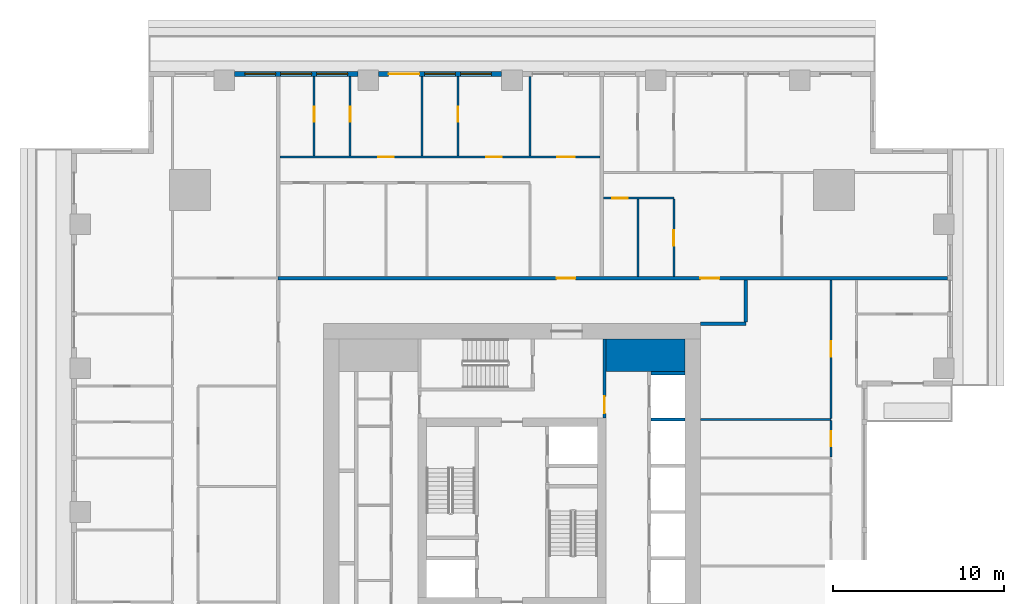
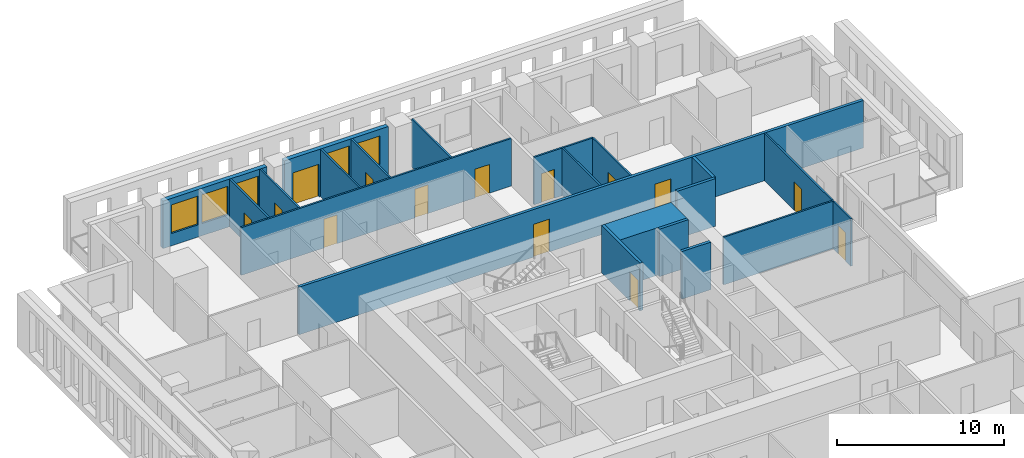
# One storey, part 8 of 16: 21 walls, 14 doors, 5 windows, 19 openings.
"""IFC4 building model written with IfcOpenShell, lengths in metres."""

from ifc_helpers import new_model, si_unit, direction, frame, frame_2d, origin, place, context, subcontext, project, spatial, rectangle, extrude, material, layer, layer_set, type_object, element, fill, save


model = new_model("IFC4")

# Units and contexts
model_context = context("Model", 3, precision=1e-05, world=origin(), true_north=direction((0.0, 1.0)))
body_context = subcontext(model_context, "Body", "Model", "MODEL_VIEW")
ifc_project = project(units=[si_unit("LENGTHUNIT", "METRE"), si_unit("AREAUNIT", "SQUARE_METRE"), si_unit("VOLUMEUNIT", "CUBIC_METRE"), si_unit("PLANEANGLEUNIT", "RADIAN"), si_unit("MASSUNIT", "GRAM", prefix="KILO")], contexts=[model_context])

# Site, building, storey
site_placement = place(None, origin())
site = spatial("IfcSite", under=ifc_project, at=site_placement, CompositionType="ELEMENT")
building_placement = place(site_placement, origin())
building = spatial("IfcBuilding", under=site, at=building_placement, Name="Khepri Terraces", CompositionType="ELEMENT")
storey_placement = place(building_placement, frame((0.0, 0.0, 204.0)))
storey = spatial("IfcBuildingStorey", under=building, at=storey_placement, Name="L48", CompositionType="ELEMENT", Elevation=204.0)

# Walls
ifc_material_1 = material(Name="Concrete C50/60", Category="concrete")
ifc_layer_1 = layer(ifc_material_1, 1.89990234375, Name="Concrete C50/60", Category="concrete")
ifc_layer_set_1 = layer_set([ifc_layer_1], Name="Concrete C50/60")
wall_type_1 = type_object("IfcWallType", Name="Core wall 1900 C50/60", PredefinedType="SHEAR", material=ifc_layer_set_1)
wall_1_placement = place(storey_placement, frame((5.5, 9.14990234375, 0.0), z_axis=(0.0, 0.0, 1.0), x_axis=(1.0, 0.0, 0.0)))
element("IfcWall", 1, at=wall_1_placement, inside=storey, type_object=wall_type_1, Name="Core wall PR04 L48", PredefinedType="SHEAR", context=body_context, shape_type="SweptSolid", body=[
    extrude(rectangle(XDim=4.60009765625, YDim=1.89990234375, at=frame_2d((2.300048828125, 0.0))), origin(), (0.0, 0.0, 1.0), 3.47998046875),
])
ifc_layer_2 = layer(ifc_material_1, 0.199951171875, Name="Concrete C50/60", Category="concrete")
ifc_layer_set_2 = layer_set([ifc_layer_2], Name="Concrete C50/60")
wall_type_2 = type_object("IfcWallType", Name="Core wall 200 C50/60", PredefinedType="SHEAR", material=ifc_layer_set_2)
for number, where, z_axis, x_axis, name in (
    (2, (8.10009765625, 5.39990234375, 0.0), (0.0, 0.0, 1.0), (1.0, 0.0, 0.0), "Core wall SH14 L48"),
    (3, (8.10009765625, 8.10009765625, 0.0), (0.0, 0.0, 1.0), (1.0, 0.0, 0.0), "Core wall SH15 L48"),
):
    element("IfcWall", number, at=place(storey_placement, frame(where, z_axis=z_axis, x_axis=x_axis)), inside=storey, type_object=wall_type_2, Name=name, PredefinedType="SHEAR", context=body_context, shape_type="SweptSolid", body=[
        extrude(rectangle(XDim=2.0, YDim=0.199951171875, at=frame_2d((1.0, 0.0))), origin(), (0.0, 0.0, 1.0), 3.47998046875),
    ])

# Wall, opening, door
ifc_material_2 = material(Name="Fire-rated gypsum board partition")
ifc_layer_3 = layer(ifc_material_2, 0.199951171875, Name="Fire-rated gypsum board partition")
ifc_layer_set_3 = layer_set([ifc_layer_3], Name="Fire-rated gypsum board partition")
wall_type_3 = type_object("IfcWallType", Name="WL-CORE-PART-200", PredefinedType="PARTITIONING", material=ifc_layer_set_3)
wall_2_placement = place(storey_placement, frame((5.39990234375, 5.5, 0.0), z_axis=(0.0, 0.0, 1.0), x_axis=(0.0, 1.0, 0.0)))
wall_2 = element("IfcWall", 4, at=wall_2_placement, inside=storey, type_object=wall_type_3, Name="Core partition PT13 L48", PredefinedType="PARTITIONING", context=body_context, shape_type="SweptSolid", body=[
    extrude(rectangle(XDim=4.60009765625, YDim=0.199951171875, at=frame_2d((2.300048828125, 0.0))), origin(), (0.0, 0.0, 1.0), 3.47998046875),
])
opening_1_placement = place(wall_2_placement, frame((0.25, 0.0, 0.0)))
opening_1 = element("IfcOpeningElement", 5, at=opening_1_placement, cuts=wall_2, Name="Opening L48-C17", PredefinedType="OPENING", context=body_context, shape_type="SweptSolid", body=[
    extrude(rectangle(XDim=1.0, YDim=2.10009765625, at=frame_2d((0.5, 1.050048828125))), frame((0.0, 0.10986328125, 0.0), z_axis=(0.0, -1.0, 0.0), x_axis=(1.0, 0.0, 0.0)), (0.0, 0.0, 1.0), 0.219970703125),
])
ifc_material_3 = material(Name="Painted steel", Category="steel")
door_type_1 = type_object("IfcDoorType", Name="DR-CORE-LOBBY-1000", OperationType="NOTDEFINED", PredefinedType="DOOR", material=ifc_material_3)
door_1_placement = place(opening_1_placement, origin())
door_1 = element("IfcDoor", 6, at=door_1_placement, inside=storey, type_object=door_type_1, Name="Lobby door L48-C17", OperationType="SINGLE_SWING_LEFT", OverallHeight=2.10009765625, OverallWidth=1.0, PredefinedType="DOOR", context=body_context, shape_type="SweptSolid", body=[
    extrude(rectangle(XDim=1.0, YDim=2.10009765625, at=frame_2d((0.5, 1.050048828125))), frame((0.0, 0.02490234375, 0.0), z_axis=(0.0, -1.0, 0.0), x_axis=(1.0, 0.0, 0.0)), (0.0, 0.0, 1.0), 0.050048828125),
])
fill(opening_1, door_1)

# Walls
ifc_material_4 = material(Name="Fire-rated gypsum plasterboard partition, mineral wool")
ifc_layer_4 = layer(ifc_material_4, 0.199951171875, Name="Fire-rated gypsum plasterboard partition, mineral wool")
ifc_layer_set_4 = layer_set([ifc_layer_4], Name="Fire-rated gypsum plasterboard partition, mineral wool")
wall_type_4 = type_object("IfcWallType", Name="WL-CORR-200", PredefinedType="PARTITIONING", material=ifc_layer_set_4)
wall_3_placement = place(storey_placement, frame((11.0, 11.0, 0.0), z_axis=(0.0, 0.0, 1.0), x_axis=(1.0, 0.0, 0.0)))
element("IfcWall", 7, at=wall_3_placement, inside=storey, type_object=wall_type_4, Name="Partition P-069 L48", PredefinedType="PARTITIONING", context=body_context, shape_type="SweptSolid", body=[
    extrude(rectangle(XDim=2.64990234375, YDim=0.199951171875, at=frame_2d((1.324951171875, 0.0))), origin(), (0.0, 0.0, 1.0), 3.47998046875),
])
wall_4_placement = place(storey_placement, frame((13.64990234375, 11.10009765625, 0.0), z_axis=(0.0, 0.0, 1.0), x_axis=(0.0, 1.0, 0.0)))
element("IfcWall", 8, at=wall_4_placement, inside=storey, type_object=wall_type_4, Name="Partition P-070 L48", PredefinedType="PARTITIONING", context=body_context, shape_type="SweptSolid", body=[
    extrude(rectangle(XDim=2.449951171875, YDim=0.199951171875, at=frame_2d((1.22509765625, 0.0))), origin(), (0.0, 0.0, 1.0), 3.47998046875),
])

# Wall, openings, doors
wall_5_placement = place(storey_placement, frame((-13.64990234375, 13.64990234375, 0.0), z_axis=(0.0, 0.0, 1.0), x_axis=(1.0, 0.0, 0.0)))
wall_5 = element("IfcWall", 9, at=wall_5_placement, inside=storey, type_object=wall_type_4, Name="Partition P-076 L48", PredefinedType="PARTITIONING", context=body_context, shape_type="SweptSolid", body=[
    extrude(rectangle(XDim=39.06982421875, YDim=0.199951171875, at=frame_2d((19.534912109375, 0.0))), origin(), (0.0, 0.0, 1.0), 3.47998046875),
])
opening_2_placement = place(wall_5_placement, frame((24.64990234375, 0.0, 0.0)))
opening_2 = element("IfcOpeningElement", 10, at=opening_2_placement, cuts=wall_5, Name="Opening D1", PredefinedType="OPENING", context=body_context, shape_type="SweptSolid", body=[
    extrude(rectangle(XDim=1.10009765625, YDim=2.39990234375, at=frame_2d((0.550048828125, 1.199951171875))), frame((0.0, 0.10986328125, 0.0), z_axis=(0.0, -1.0, 0.0), x_axis=(1.0, 0.0, 0.0)), (0.0, 0.0, 1.0), 0.219970703125),
])
opening_3_placement = place(wall_5_placement, frame((16.25, 0.0, 0.0)))
opening_3 = element("IfcOpeningElement", 11, at=opening_3_placement, cuts=wall_5, Name="Opening D1", PredefinedType="OPENING", context=body_context, shape_type="SweptSolid", body=[
    extrude(rectangle(XDim=1.10009765625, YDim=2.39990234375, at=frame_2d((0.550048828125, 1.199951171875))), frame((0.0, 0.10986328125, 0.0), z_axis=(0.0, -1.0, 0.0), x_axis=(1.0, 0.0, 0.0)), (0.0, 0.0, 1.0), 0.219970703125),
])
ifc_material_5 = material(Name="Solid-core timber door leaf, flat entrance door", Category="wood")
door_type_2 = type_object("IfcDoorType", Name="DR-ENT-1100", OperationType="NOTDEFINED", PredefinedType="DOOR", material=ifc_material_5)
door_2_placement = place(opening_2_placement, origin())
door_2 = element("IfcDoor", 12, at=door_2_placement, inside=storey, type_object=door_type_2, Name="Flat C1 entrance door", OperationType="SINGLE_SWING_RIGHT", OverallHeight=2.39990234375, OverallWidth=1.10009765625, PredefinedType="DOOR", context=body_context, shape_type="SweptSolid", body=[
    extrude(rectangle(XDim=1.10009765625, YDim=2.39990234375, at=frame_2d((0.550048828125, 1.199951171875))), frame((0.0, 0.02490234375, 0.0), z_axis=(0.0, -1.0, 0.0), x_axis=(1.0, 0.0, 0.0)), (0.0, 0.0, 1.0), 0.050048828125),
])
fill(opening_2, door_2)
door_3_placement = place(opening_3_placement, origin())
door_3 = element("IfcDoor", 13, at=door_3_placement, inside=storey, type_object=door_type_2, Name="Flat C2 entrance door", OperationType="SINGLE_SWING_LEFT", OverallHeight=2.39990234375, OverallWidth=1.10009765625, PredefinedType="DOOR", context=body_context, shape_type="SweptSolid", body=[
    extrude(rectangle(XDim=1.10009765625, YDim=2.39990234375, at=frame_2d((0.550048828125, 1.199951171875))), frame((0.0, 0.02490234375, 0.0), z_axis=(0.0, -1.0, 0.0), x_axis=(1.0, 0.0, 0.0)), (0.0, 0.0, 1.0), 0.050048828125),
])
fill(opening_3, door_3)

# Wall, openings, door, windows
ifc_material_6 = material(Name="Precast concrete C50/60 warm stone", Category="masonry")
ifc_layer_5 = layer(ifc_material_6, 0.300048828125, Name="Precast concrete C50/60 warm stone", Category="masonry")
ifc_layer_set_5 = layer_set([ifc_layer_5], Name="Precast concrete C50/60 warm stone")
wall_type_5 = type_object("IfcWallType", Name="WL-EXT-PRECAST-300", PredefinedType="STANDARD", material=ifc_layer_set_5)
wall_6_placement = place(storey_placement, frame((-0.60009765625, 25.570068359375, 0.0), z_axis=(0.0, 0.0, 1.0), x_axis=(-1.0, 0.0, 0.0)))
wall_6 = element("IfcWall", 14, at=wall_6_placement, inside=storey, type_object=wall_type_5, Name="External wall L48 N", PredefinedType="STANDARD", context=body_context, shape_type="SweptSolid", body=[
    extrude(rectangle(XDim=7.199951171875, YDim=0.300048828125, at=frame_2d((3.60009765625, 0.0))), origin(), (0.0, 0.0, 1.0), 3.47998046875),
])
opening_4_placement = place(wall_6_placement, frame((0.60009765625, 0.0, 0.89990234375)))
opening_4 = element("IfcOpeningElement", 15, at=opening_4_placement, cuts=wall_6, Name="Opening W1", PredefinedType="OPENING", context=body_context, shape_type="SweptSolid", body=[
    extrude(rectangle(XDim=1.800048828125, YDim=2.10009765625, at=frame_2d((0.89990234375, 1.050048828125))), frame((0.0, 0.16015625, 0.0), z_axis=(0.0, -1.0, 0.0), x_axis=(1.0, 0.0, 0.0)), (0.0, 0.0, 1.0), 0.320068359375),
])
opening_5_placement = place(wall_6_placement, frame((2.699951171875, 0.0, 0.89990234375)))
opening_5 = element("IfcOpeningElement", 16, at=opening_5_placement, cuts=wall_6, Name="Opening W1", PredefinedType="OPENING", context=body_context, shape_type="SweptSolid", body=[
    extrude(rectangle(XDim=1.800048828125, YDim=2.10009765625, at=frame_2d((0.89990234375, 1.050048828125))), frame((0.0, 0.16015625, 0.0), z_axis=(0.0, -1.0, 0.0), x_axis=(1.0, 0.0, 0.0)), (0.0, 0.0, 1.0), 0.320068359375),
])
opening_6_placement = place(wall_6_placement, frame((4.800048828125, 0.0, 0.0)))
opening_6 = element("IfcOpeningElement", 17, at=opening_6_placement, cuts=wall_6, Name="Opening ED-L48-11", PredefinedType="OPENING", context=body_context, shape_type="SweptSolid", body=[
    extrude(rectangle(XDim=1.800048828125, YDim=2.39990234375, at=frame_2d((0.89990234375, 1.199951171875))), frame((0.0, 0.16015625, 0.0), z_axis=(0.0, -1.0, 0.0), x_axis=(1.0, 0.0, 0.0)), (0.0, 0.0, 1.0), 0.320068359375),
])
ifc_material_7 = material(Name="Anodised aluminium bronze glazed door", Category="aluminium")
door_type_3 = type_object("IfcDoorType", Name="DR-BAL-SLIDE-1800x2400", OperationType="NOTDEFINED", PredefinedType="DOOR", material=ifc_material_7)
door_4_placement = place(opening_6_placement, origin())
door_4 = element("IfcDoor", 18, at=door_4_placement, inside=storey, type_object=door_type_3, Name="Balcony door L48 N", OperationType="SLIDING_TO_RIGHT", OverallHeight=2.39990234375, OverallWidth=1.800048828125, PredefinedType="DOOR", context=body_context, shape_type="SweptSolid", body=[
    extrude(rectangle(XDim=1.800048828125, YDim=2.39990234375, at=frame_2d((0.89990234375, 1.199951171875))), frame((0.0, 0.02490234375, 0.0), z_axis=(0.0, -1.0, 0.0), x_axis=(1.0, 0.0, 0.0)), (0.0, 0.0, 1.0), 0.050048828125),
])
fill(opening_6, door_4)
ifc_material_8 = material(Name="Clear glass", Category="glass")
window_type = type_object("IfcWindowType", Name="WIN-RES-1800x2100", PartitioningType="SINGLE_PANEL", PredefinedType="WINDOW", material=ifc_material_8)
window_1_placement = place(opening_4_placement, origin())
window_1 = element("IfcWindow", 19, at=window_1_placement, inside=storey, type_object=window_type, Name="Window L48 N", OverallHeight=2.10009765625, OverallWidth=1.800048828125, PartitioningType="SINGLE_PANEL", PredefinedType="WINDOW", context=body_context, shape_type="SweptSolid", body=[
    extrude(rectangle(XDim=1.800048828125, YDim=2.10009765625, at=frame_2d((0.89990234375, 1.050048828125))), frame((0.0, 0.030029296875, 0.0), z_axis=(0.0, -1.0, 0.0), x_axis=(1.0, 0.0, 0.0)), (0.0, 0.0, 1.0), 0.06005859375),
])
fill(opening_4, window_1)
window_2_placement = place(opening_5_placement, origin())
window_2 = element("IfcWindow", 20, at=window_2_placement, inside=storey, type_object=window_type, Name="Window L48 N", OverallHeight=2.10009765625, OverallWidth=1.800048828125, PartitioningType="SINGLE_PANEL", PredefinedType="WINDOW", context=body_context, shape_type="SweptSolid", body=[
    extrude(rectangle(XDim=1.800048828125, YDim=2.10009765625, at=frame_2d((0.89990234375, 1.050048828125))), frame((0.0, 0.030029296875, 0.0), z_axis=(0.0, -1.0, 0.0), x_axis=(1.0, 0.0, 0.0)), (0.0, 0.0, 1.0), 0.06005859375),
])
fill(opening_5, window_2)

# Wall, openings, windows
wall_7_placement = place(storey_placement, frame((-9.0, 25.570068359375, 0.0), z_axis=(0.0, 0.0, 1.0), x_axis=(-1.0, 0.0, 0.0)))
wall_7 = element("IfcWall", 21, at=wall_7_placement, inside=storey, type_object=wall_type_5, Name="External wall L48 N", PredefinedType="STANDARD", context=body_context, shape_type="SweptSolid", body=[
    extrude(rectangle(XDim=7.199951171875, YDim=0.300048828125, at=frame_2d((3.60009765625, 0.0))), origin(), (0.0, 0.0, 1.0), 3.47998046875),
])
opening_7_placement = place(wall_7_placement, frame((0.60009765625, 0.0, 0.89990234375)))
opening_7 = element("IfcOpeningElement", 22, at=opening_7_placement, cuts=wall_7, Name="Opening W1", PredefinedType="OPENING", context=body_context, shape_type="SweptSolid", body=[
    extrude(rectangle(XDim=1.800048828125, YDim=2.10009765625, at=frame_2d((0.89990234375, 1.050048828125))), frame((0.0, 0.16015625, 0.0), z_axis=(0.0, -1.0, 0.0), x_axis=(1.0, 0.0, 0.0)), (0.0, 0.0, 1.0), 0.320068359375),
])
opening_8_placement = place(wall_7_placement, frame((2.699951171875, 0.0, 0.89990234375)))
opening_8 = element("IfcOpeningElement", 23, at=opening_8_placement, cuts=wall_7, Name="Opening W1", PredefinedType="OPENING", context=body_context, shape_type="SweptSolid", body=[
    extrude(rectangle(XDim=1.800048828125, YDim=2.10009765625, at=frame_2d((0.89990234375, 1.050048828125))), frame((0.0, 0.16015625, 0.0), z_axis=(0.0, -1.0, 0.0), x_axis=(1.0, 0.0, 0.0)), (0.0, 0.0, 1.0), 0.320068359375),
])
opening_9_placement = place(wall_7_placement, frame((4.800048828125, 0.0, 0.89990234375)))
opening_9 = element("IfcOpeningElement", 24, at=opening_9_placement, cuts=wall_7, Name="Opening W1", PredefinedType="OPENING", context=body_context, shape_type="SweptSolid", body=[
    extrude(rectangle(XDim=1.800048828125, YDim=2.10009765625, at=frame_2d((0.89990234375, 1.050048828125))), frame((0.0, 0.16015625, 0.0), z_axis=(0.0, -1.0, 0.0), x_axis=(1.0, 0.0, 0.0)), (0.0, 0.0, 1.0), 0.320068359375),
])
window_3_placement = place(opening_7_placement, origin())
window_3 = element("IfcWindow", 25, at=window_3_placement, inside=storey, type_object=window_type, Name="Window L48 N", OverallHeight=2.10009765625, OverallWidth=1.800048828125, PartitioningType="SINGLE_PANEL", PredefinedType="WINDOW", context=body_context, shape_type="SweptSolid", body=[
    extrude(rectangle(XDim=1.800048828125, YDim=2.10009765625, at=frame_2d((0.89990234375, 1.050048828125))), frame((0.0, 0.030029296875, 0.0), z_axis=(0.0, -1.0, 0.0), x_axis=(1.0, 0.0, 0.0)), (0.0, 0.0, 1.0), 0.06005859375),
])
fill(opening_7, window_3)
window_4_placement = place(opening_8_placement, origin())
window_4 = element("IfcWindow", 26, at=window_4_placement, inside=storey, type_object=window_type, Name="Window L48 N", OverallHeight=2.10009765625, OverallWidth=1.800048828125, PartitioningType="SINGLE_PANEL", PredefinedType="WINDOW", context=body_context, shape_type="SweptSolid", body=[
    extrude(rectangle(XDim=1.800048828125, YDim=2.10009765625, at=frame_2d((0.89990234375, 1.050048828125))), frame((0.0, 0.030029296875, 0.0), z_axis=(0.0, -1.0, 0.0), x_axis=(1.0, 0.0, 0.0)), (0.0, 0.0, 1.0), 0.06005859375),
])
fill(opening_8, window_4)
window_5_placement = place(opening_9_placement, origin())
window_5 = element("IfcWindow", 27, at=window_5_placement, inside=storey, type_object=window_type, Name="Window L48 N", OverallHeight=2.10009765625, OverallWidth=1.800048828125, PartitioningType="SINGLE_PANEL", PredefinedType="WINDOW", context=body_context, shape_type="SweptSolid", body=[
    extrude(rectangle(XDim=1.800048828125, YDim=2.10009765625, at=frame_2d((0.89990234375, 1.050048828125))), frame((0.0, 0.030029296875, 0.0), z_axis=(0.0, -1.0, 0.0), x_axis=(1.0, 0.0, 0.0)), (0.0, 0.0, 1.0), 0.06005859375),
])
fill(opening_9, window_5)

# Wall, opening, door
ifc_material_9 = material(Name="Gypsum plasterboard partition")
ifc_layer_6 = layer(ifc_material_9, 0.1201171875, Name="Gypsum plasterboard partition")
ifc_layer_set_6 = layer_set([ifc_layer_6], Name="Gypsum plasterboard partition")
wall_type_6 = type_object("IfcWallType", Name="WL-PART-120", PredefinedType="PARTITIONING", material=ifc_layer_set_6)
wall_8_placement = place(storey_placement, frame((18.6201171875, 3.2099609375, 0.0), z_axis=(0.0, 0.0, 1.0), x_axis=(0.0, 1.0, 0.0)))
wall_8 = element("IfcWall", 28, at=wall_8_placement, inside=storey, type_object=wall_type_6, Name="Partition P-059 L48", PredefinedType="PARTITIONING", context=body_context, shape_type="SweptSolid", body=[
    extrude(rectangle(XDim=2.130126953125, YDim=0.1201171875, at=frame_2d((1.06494140625, 0.0))), origin(), (0.0, 0.0, 1.0), 3.47998046875),
])
opening_10_placement = place(wall_8_placement, frame((0.614990234375, 0.0, 0.0)))
opening_10 = element("IfcOpeningElement", 29, at=opening_10_placement, cuts=wall_8, Name="Opening D4", PredefinedType="OPENING", context=body_context, shape_type="SweptSolid", body=[
    extrude(rectangle(XDim=0.89990234375, YDim=2.10009765625, at=frame_2d((0.449951171875, 1.050048828125))), frame((0.0, 0.070068359375, 0.0), z_axis=(0.0, -1.0, 0.0), x_axis=(1.0, 0.0, 0.0)), (0.0, 0.0, 1.0), 0.14013671875),
])
ifc_material_10 = material(Name="Timber door leaf, moisture resistant", Category="wood")
door_type_4 = type_object("IfcDoorType", Name="DR-WET-900", OperationType="NOTDEFINED", PredefinedType="DOOR", material=ifc_material_10)
door_5_placement = place(opening_10_placement, origin())
door_5 = element("IfcDoor", 30, at=door_5_placement, inside=storey, type_object=door_type_4, Name="Door Guest Bathroom", OperationType="SINGLE_SWING_RIGHT", OverallHeight=2.10009765625, OverallWidth=0.89990234375, PredefinedType="DOOR", context=body_context, shape_type="SweptSolid", body=[
    extrude(rectangle(XDim=0.89990234375, YDim=2.10009765625, at=frame_2d((0.449951171875, 1.050048828125))), frame((0.0, 0.02490234375, 0.0), z_axis=(0.0, -1.0, 0.0), x_axis=(1.0, 0.0, 0.0)), (0.0, 0.0, 1.0), 0.050048828125),
])
fill(opening_10, door_5)

# Wall
wall_9_placement = place(storey_placement, frame((11.0, 5.39990234375, 0.0), z_axis=(0.0, 0.0, 1.0), x_axis=(1.0, 0.0, 0.0)))
element("IfcWall", 31, at=wall_9_placement, inside=storey, type_object=wall_type_6, Name="Partition P-062 L48", PredefinedType="PARTITIONING", context=body_context, shape_type="SweptSolid", body=[
    extrude(rectangle(XDim=7.6201171875, YDim=0.1201171875, at=frame_2d((3.81005859375, 0.0))), origin(), (0.0, 0.0, 1.0), 3.47998046875),
])

# Wall, opening, door
wall_10_placement = place(storey_placement, frame((18.6201171875, 5.4599609375, 0.0), z_axis=(0.0, 0.0, 1.0), x_axis=(0.0, 1.0, 0.0)))
wall_10 = element("IfcWall", 32, at=wall_10_placement, inside=storey, type_object=wall_type_6, Name="Partition P-063 L48", PredefinedType="PARTITIONING", context=body_context, shape_type="SweptSolid", body=[
    extrude(rectangle(XDim=8.090087890625, YDim=0.1201171875, at=frame_2d((4.044921875, 0.0))), origin(), (0.0, 0.0, 1.0), 3.47998046875),
])
opening_11_placement = place(wall_10_placement, frame((3.614990234375, 0.0, 0.0)))
opening_11 = element("IfcOpeningElement", 33, at=opening_11_placement, cuts=wall_10, Name="Opening D3", PredefinedType="OPENING", context=body_context, shape_type="SweptSolid", body=[
    extrude(rectangle(XDim=0.89990234375, YDim=2.10009765625, at=frame_2d((0.449951171875, 1.050048828125))), frame((0.0, 0.070068359375, 0.0), z_axis=(0.0, -1.0, 0.0), x_axis=(1.0, 0.0, 0.0)), (0.0, 0.0, 1.0), 0.14013671875),
])
ifc_material_11 = material(Name="Timber door leaf", Category="wood")
door_type_5 = type_object("IfcDoorType", Name="DR-INT-900", OperationType="NOTDEFINED", PredefinedType="DOOR", material=ifc_material_11)
door_6_placement = place(opening_11_placement, origin())
door_6 = element("IfcDoor", 34, at=door_6_placement, inside=storey, type_object=door_type_5, Name="Door Library", OperationType="SINGLE_SWING_RIGHT", OverallHeight=2.10009765625, OverallWidth=0.89990234375, PredefinedType="DOOR", context=body_context, shape_type="SweptSolid", body=[
    extrude(rectangle(XDim=0.89990234375, YDim=2.10009765625, at=frame_2d((0.449951171875, 1.050048828125))), frame((0.0, 0.02490234375, 0.0), z_axis=(0.0, -1.0, 0.0), x_axis=(1.0, 0.0, 0.0)), (0.0, 0.0, 1.0), 0.050048828125),
])
fill(opening_11, door_6)

# Wall
wall_11_placement = place(storey_placement, frame((7.35009765625, 13.75, 0.0), z_axis=(0.0, 0.0, 1.0), x_axis=(0.0, 1.0, 0.0)))
element("IfcWall", 35, at=wall_11_placement, inside=storey, type_object=wall_type_6, Name="Partition P-084 L48", PredefinedType="PARTITIONING", context=body_context, shape_type="SweptSolid", body=[
    extrude(rectangle(XDim=4.510009765625, YDim=0.1201171875, at=frame_2d((2.2548828125, 0.0))), origin(), (0.0, 0.0, 1.0), 3.47998046875),
])

# Wall, opening, door
wall_12_placement = place(storey_placement, frame((9.449951171875, 13.75, 0.0), z_axis=(0.0, 0.0, 1.0), x_axis=(0.0, 1.0, 0.0)))
wall_12 = element("IfcWall", 36, at=wall_12_placement, inside=storey, type_object=wall_type_6, Name="Partition P-085 L48", PredefinedType="PARTITIONING", context=body_context, shape_type="SweptSolid", body=[
    extrude(rectangle(XDim=4.510009765625, YDim=0.1201171875, at=frame_2d((2.2548828125, 0.0))), origin(), (0.0, 0.0, 1.0), 3.47998046875),
])
opening_12_placement = place(wall_12_placement, frame((1.784912109375, 0.0, 0.0)))
opening_12 = element("IfcOpeningElement", 37, at=opening_12_placement, cuts=wall_12, Name="Opening D4", PredefinedType="OPENING", context=body_context, shape_type="SweptSolid", body=[
    extrude(rectangle(XDim=0.89990234375, YDim=2.10009765625, at=frame_2d((0.449951171875, 1.050048828125))), frame((0.0, 0.070068359375, 0.0), z_axis=(0.0, -1.0, 0.0), x_axis=(1.0, 0.0, 0.0)), (0.0, 0.0, 1.0), 0.14013671875),
])
door_7_placement = place(opening_12_placement, origin())
door_7 = element("IfcDoor", 38, at=door_7_placement, inside=storey, type_object=door_type_4, Name="Door Guest Bathroom", OperationType="SINGLE_SWING_LEFT", OverallHeight=2.10009765625, OverallWidth=0.89990234375, PredefinedType="DOOR", context=body_context, shape_type="SweptSolid", body=[
    extrude(rectangle(XDim=0.89990234375, YDim=2.10009765625, at=frame_2d((0.449951171875, 1.050048828125))), frame((0.0, 0.02490234375, 0.0), z_axis=(0.0, -1.0, 0.0), x_axis=(1.0, 0.0, 0.0)), (0.0, 0.0, 1.0), 0.050048828125),
])
fill(opening_12, door_7)

wall_13_placement = place(storey_placement, frame((5.35009765625, 18.320068359375, 0.0), z_axis=(0.0, 0.0, 1.0), x_axis=(1.0, 0.0, 0.0)))
wall_13 = element("IfcWall", 39, at=wall_13_placement, inside=storey, type_object=wall_type_6, Name="Partition P-087 L48", PredefinedType="PARTITIONING", context=body_context, shape_type="SweptSolid", body=[
    extrude(rectangle(XDim=4.099853515625, YDim=0.1201171875, at=frame_2d((2.0498046875, 0.0))), origin(), (0.0, 0.0, 1.0), 3.47998046875),
])
opening_13_placement = place(wall_13_placement, frame((0.5, 0.0, 0.0)))
opening_13 = element("IfcOpeningElement", 40, at=opening_13_placement, cuts=wall_13, Name="Opening D3", PredefinedType="OPENING", context=body_context, shape_type="SweptSolid", body=[
    extrude(rectangle(XDim=0.89990234375, YDim=2.10009765625, at=frame_2d((0.449951171875, 1.050048828125))), frame((0.0, 0.070068359375, 0.0), z_axis=(0.0, -1.0, 0.0), x_axis=(1.0, 0.0, 0.0)), (0.0, 0.0, 1.0), 0.14013671875),
])
door_8_placement = place(opening_13_placement, frame((0.89990234375, 0.0, 0.0), z_axis=(0.0, 0.0, 1.0), x_axis=(-1.0, 0.0, 0.0)))
door_8 = element("IfcDoor", 41, at=door_8_placement, inside=storey, type_object=door_type_5, Name="Door Kitchen", OperationType="SINGLE_SWING_RIGHT", OverallHeight=2.10009765625, OverallWidth=0.89990234375, PredefinedType="DOOR", context=body_context, shape_type="SweptSolid", body=[
    extrude(rectangle(XDim=0.89990234375, YDim=2.10009765625, at=frame_2d((0.449951171875, 1.050048828125))), frame((0.0, 0.02490234375, 0.0), z_axis=(0.0, -1.0, 0.0), x_axis=(1.0, 0.0, 0.0)), (0.0, 0.0, 1.0), 0.050048828125),
])
fill(opening_13, door_8)

# Wall, openings, doors
wall_14_placement = place(storey_placement, frame((-13.550048828125, 20.719970703125, 0.0), z_axis=(0.0, 0.0, 1.0), x_axis=(1.0, 0.0, 0.0)))
wall_14 = element("IfcWall", 42, at=wall_14_placement, inside=storey, type_object=wall_type_6, Name="Partition P-095 L48", PredefinedType="PARTITIONING", context=body_context, shape_type="SweptSolid", body=[
    extrude(rectangle(XDim=18.699951171875, YDim=0.1201171875, at=frame_2d((9.35009765625, 0.0))), origin(), (0.0, 0.0, 1.0), 3.47998046875),
])
opening_14_placement = place(wall_14_placement, frame((16.199951171875, 0.0, 0.0)))
opening_14 = element("IfcOpeningElement", 43, at=opening_14_placement, cuts=wall_14, Name="Opening D2", PredefinedType="OPENING", context=body_context, shape_type="SweptSolid", body=[
    extrude(rectangle(XDim=1.0, YDim=2.10009765625, at=frame_2d((0.5, 1.050048828125))), frame((0.0, 0.070068359375, 0.0), z_axis=(0.0, -1.0, 0.0), x_axis=(1.0, 0.0, 0.0)), (0.0, 0.0, 1.0), 0.14013671875),
])
opening_15_placement = place(wall_14_placement, frame((12.050048828125, 0.0, 0.0)))
opening_15 = element("IfcOpeningElement", 44, at=opening_15_placement, cuts=wall_14, Name="Opening D3", PredefinedType="OPENING", context=body_context, shape_type="SweptSolid", body=[
    extrude(rectangle(XDim=0.89990234375, YDim=2.10009765625, at=frame_2d((0.449951171875, 1.050048828125))), frame((0.0, 0.070068359375, 0.0), z_axis=(0.0, -1.0, 0.0), x_axis=(1.0, 0.0, 0.0)), (0.0, 0.0, 1.0), 0.14013671875),
])
opening_16_placement = place(wall_14_placement, frame((5.75, 0.0, 0.0)))
opening_16 = element("IfcOpeningElement", 45, at=opening_16_placement, cuts=wall_14, Name="Opening D3", PredefinedType="OPENING", context=body_context, shape_type="SweptSolid", body=[
    extrude(rectangle(XDim=0.89990234375, YDim=2.10009765625, at=frame_2d((0.449951171875, 1.050048828125))), frame((0.0, 0.070068359375, 0.0), z_axis=(0.0, -1.0, 0.0), x_axis=(1.0, 0.0, 0.0)), (0.0, 0.0, 1.0), 0.14013671875),
])
ifc_material_12 = material(Name="Timber door leaf, living room door", Category="wood")
door_type_6 = type_object("IfcDoorType", Name="DR-INT-1000", OperationType="NOTDEFINED", PredefinedType="DOOR", material=ifc_material_12)
door_9_placement = place(opening_14_placement, origin())
door_9 = element("IfcDoor", 46, at=door_9_placement, inside=storey, type_object=door_type_6, Name="Door Living Room", OperationType="SINGLE_SWING_RIGHT", OverallHeight=2.10009765625, OverallWidth=1.0, PredefinedType="DOOR", context=body_context, shape_type="SweptSolid", body=[
    extrude(rectangle(XDim=1.0, YDim=2.10009765625, at=frame_2d((0.5, 1.050048828125))), frame((0.0, 0.02490234375, 0.0), z_axis=(0.0, -1.0, 0.0), x_axis=(1.0, 0.0, 0.0)), (0.0, 0.0, 1.0), 0.050048828125),
])
fill(opening_14, door_9)
door_10_placement = place(opening_15_placement, origin())
door_10 = element("IfcDoor", 47, at=door_10_placement, inside=storey, type_object=door_type_5, Name="Door Bedroom", OperationType="SINGLE_SWING_RIGHT", OverallHeight=2.10009765625, OverallWidth=0.89990234375, PredefinedType="DOOR", context=body_context, shape_type="SweptSolid", body=[
    extrude(rectangle(XDim=0.89990234375, YDim=2.10009765625, at=frame_2d((0.449951171875, 1.050048828125))), frame((0.0, 0.02490234375, 0.0), z_axis=(0.0, -1.0, 0.0), x_axis=(1.0, 0.0, 0.0)), (0.0, 0.0, 1.0), 0.050048828125),
])
fill(opening_15, door_10)
door_11_placement = place(opening_16_placement, origin())
door_11 = element("IfcDoor", 48, at=door_11_placement, inside=storey, type_object=door_type_5, Name="Door Master Bedroom", OperationType="SINGLE_SWING_LEFT", OverallHeight=2.10009765625, OverallWidth=0.89990234375, PredefinedType="DOOR", context=body_context, shape_type="SweptSolid", body=[
    extrude(rectangle(XDim=0.89990234375, YDim=2.10009765625, at=frame_2d((0.449951171875, 1.050048828125))), frame((0.0, 0.02490234375, 0.0), z_axis=(0.0, -1.0, 0.0), x_axis=(1.0, 0.0, 0.0)), (0.0, 0.0, 1.0), 0.050048828125),
])
fill(opening_16, door_11)

# Wall, opening, door
wall_15_placement = place(storey_placement, frame((-11.550048828125, 20.780029296875, 0.0), z_axis=(0.0, 0.0, 1.0), x_axis=(0.0, 1.0, 0.0)))
wall_15 = element("IfcWall", 49, at=wall_15_placement, inside=storey, type_object=wall_type_6, Name="Partition P-096 L48", PredefinedType="PARTITIONING", context=body_context, shape_type="SweptSolid", body=[
    extrude(rectangle(XDim=4.639892578125, YDim=0.1201171875, at=frame_2d((2.31982421875, 0.0))), origin(), (0.0, 0.0, 1.0), 3.47998046875),
])
opening_17_placement = place(wall_15_placement, frame((1.989990234375, 0.0, 0.0)))
opening_17 = element("IfcOpeningElement", 50, at=opening_17_placement, cuts=wall_15, Name="Opening D4", PredefinedType="OPENING", context=body_context, shape_type="SweptSolid", body=[
    extrude(rectangle(XDim=0.89990234375, YDim=2.10009765625, at=frame_2d((0.449951171875, 1.050048828125))), frame((0.0, 0.070068359375, 0.0), z_axis=(0.0, -1.0, 0.0), x_axis=(1.0, 0.0, 0.0)), (0.0, 0.0, 1.0), 0.14013671875),
])
door_12_placement = place(opening_17_placement, origin())
door_12 = element("IfcDoor", 51, at=door_12_placement, inside=storey, type_object=door_type_4, Name="Door Bathroom", OperationType="SINGLE_SWING_RIGHT", OverallHeight=2.10009765625, OverallWidth=0.89990234375, PredefinedType="DOOR", context=body_context, shape_type="SweptSolid", body=[
    extrude(rectangle(XDim=0.89990234375, YDim=2.10009765625, at=frame_2d((0.449951171875, 1.050048828125))), frame((0.0, 0.02490234375, 0.0), z_axis=(0.0, -1.0, 0.0), x_axis=(1.0, 0.0, 0.0)), (0.0, 0.0, 1.0), 0.050048828125),
])
fill(opening_17, door_12)

wall_16_placement = place(storey_placement, frame((-9.449951171875, 20.780029296875, 0.0), z_axis=(0.0, 0.0, 1.0), x_axis=(0.0, 1.0, 0.0)))
wall_16 = element("IfcWall", 52, at=wall_16_placement, inside=storey, type_object=wall_type_6, Name="Partition P-097 L48", PredefinedType="PARTITIONING", context=body_context, shape_type="SweptSolid", body=[
    extrude(rectangle(XDim=4.639892578125, YDim=0.1201171875, at=frame_2d((2.31982421875, 0.0))), origin(), (0.0, 0.0, 1.0), 3.47998046875),
])
opening_18_placement = place(wall_16_placement, frame((1.989990234375, 0.0, 0.0)))
opening_18 = element("IfcOpeningElement", 53, at=opening_18_placement, cuts=wall_16, Name="Opening D3", PredefinedType="OPENING", context=body_context, shape_type="SweptSolid", body=[
    extrude(rectangle(XDim=0.89990234375, YDim=2.10009765625, at=frame_2d((0.449951171875, 1.050048828125))), frame((0.0, 0.070068359375, 0.0), z_axis=(0.0, -1.0, 0.0), x_axis=(1.0, 0.0, 0.0)), (0.0, 0.0, 1.0), 0.14013671875),
])
door_13_placement = place(opening_18_placement, origin())
door_13 = element("IfcDoor", 54, at=door_13_placement, inside=storey, type_object=door_type_5, Name="Door Dressing Room", OperationType="SINGLE_SWING_RIGHT", OverallHeight=2.10009765625, OverallWidth=0.89990234375, PredefinedType="DOOR", context=body_context, shape_type="SweptSolid", body=[
    extrude(rectangle(XDim=0.89990234375, YDim=2.10009765625, at=frame_2d((0.449951171875, 1.050048828125))), frame((0.0, 0.02490234375, 0.0), z_axis=(0.0, -1.0, 0.0), x_axis=(1.0, 0.0, 0.0)), (0.0, 0.0, 1.0), 0.050048828125),
])
fill(opening_18, door_13)

# Wall
wall_17_placement = place(storey_placement, frame((-5.25, 20.780029296875, 0.0), z_axis=(0.0, 0.0, 1.0), x_axis=(0.0, 1.0, 0.0)))
element("IfcWall", 55, at=wall_17_placement, inside=storey, type_object=wall_type_6, Name="Partition P-098 L48", PredefinedType="PARTITIONING", context=body_context, shape_type="SweptSolid", body=[
    extrude(rectangle(XDim=4.639892578125, YDim=0.1201171875, at=frame_2d((2.31982421875, 0.0))), origin(), (0.0, 0.0, 1.0), 3.47998046875),
])

# Wall, opening, door
wall_18_placement = place(storey_placement, frame((-3.14990234375, 20.780029296875, 0.0), z_axis=(0.0, 0.0, 1.0), x_axis=(0.0, 1.0, 0.0)))
wall_18 = element("IfcWall", 56, at=wall_18_placement, inside=storey, type_object=wall_type_6, Name="Partition P-099 L48", PredefinedType="PARTITIONING", context=body_context, shape_type="SweptSolid", body=[
    extrude(rectangle(XDim=4.639892578125, YDim=0.1201171875, at=frame_2d((2.31982421875, 0.0))), origin(), (0.0, 0.0, 1.0), 3.47998046875),
])
opening_19_placement = place(wall_18_placement, frame((1.989990234375, 0.0, 0.0)))
opening_19 = element("IfcOpeningElement", 57, at=opening_19_placement, cuts=wall_18, Name="Opening D4", PredefinedType="OPENING", context=body_context, shape_type="SweptSolid", body=[
    extrude(rectangle(XDim=0.89990234375, YDim=2.10009765625, at=frame_2d((0.449951171875, 1.050048828125))), frame((0.0, 0.070068359375, 0.0), z_axis=(0.0, -1.0, 0.0), x_axis=(1.0, 0.0, 0.0)), (0.0, 0.0, 1.0), 0.14013671875),
])
door_14_placement = place(opening_19_placement, origin())
door_14 = element("IfcDoor", 58, at=door_14_placement, inside=storey, type_object=door_type_4, Name="Door Bathroom", OperationType="SINGLE_SWING_RIGHT", OverallHeight=2.10009765625, OverallWidth=0.89990234375, PredefinedType="DOOR", context=body_context, shape_type="SweptSolid", body=[
    extrude(rectangle(XDim=0.89990234375, YDim=2.10009765625, at=frame_2d((0.449951171875, 1.050048828125))), frame((0.0, 0.02490234375, 0.0), z_axis=(0.0, -1.0, 0.0), x_axis=(1.0, 0.0, 0.0)), (0.0, 0.0, 1.0), 0.050048828125),
])
fill(opening_19, door_14)

# Wall
wall_19_placement = place(storey_placement, frame((1.050048828125, 20.780029296875, 0.0), z_axis=(0.0, 0.0, 1.0), x_axis=(0.0, 1.0, 0.0)))
element("IfcWall", 59, at=wall_19_placement, inside=storey, type_object=wall_type_6, Name="Partition P-100 L48", PredefinedType="PARTITIONING", context=body_context, shape_type="SweptSolid", body=[
    extrude(rectangle(XDim=4.639892578125, YDim=0.1201171875, at=frame_2d((2.31982421875, 0.0))), origin(), (0.0, 0.0, 1.0), 3.47998046875),
])

save(model, "model.ifc")
